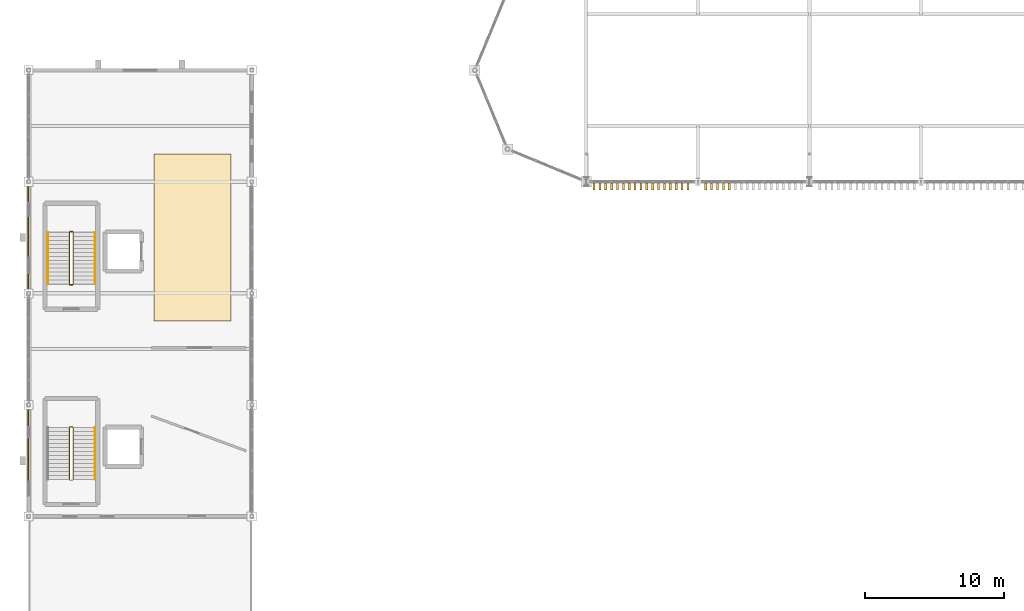
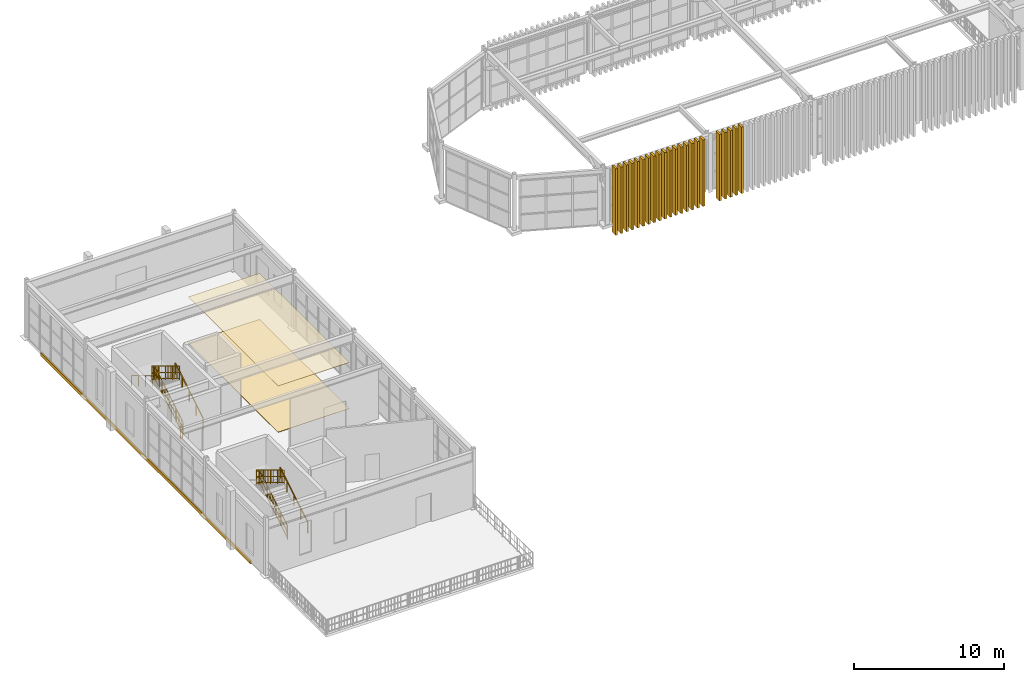
# One storey, part 55 of 61: 25 coverings, 10 railings.
"""IFC4 building model written with IfcOpenShell, lengths in metres."""

from ifc_helpers import new_model, si_unit, direction, frame, origin, origin_2d, place, context, subcontext, project, spatial, polyline, rectangle, outline, extrude, material, layer, layer_set, type_object, element, save


model = new_model("IFC4")

# Units and contexts
model_context = context("Model", 3, precision=1e-05, world=origin(), true_north=direction((0.0, 1.0)))
body_context = subcontext(model_context, "Body", "Model", "MODEL_VIEW")
ifc_project = project(units=[si_unit("LENGTHUNIT", "METRE"), si_unit("AREAUNIT", "SQUARE_METRE"), si_unit("VOLUMEUNIT", "CUBIC_METRE"), si_unit("PLANEANGLEUNIT", "RADIAN"), si_unit("MASSUNIT", "GRAM", prefix="KILO")], contexts=[model_context])

# Site, building, storey
site_placement = place(None, origin())
site = spatial("IfcSite", under=ifc_project, at=site_placement, CompositionType="ELEMENT")
building_placement = place(site_placement, origin())
building = spatial("IfcBuilding", under=site, at=building_placement, Name="Serraluz Foothill Cableway Terminal", CompositionType="ELEMENT")
storey_placement = place(building_placement, frame((0.0, 0.0, 15.0)))
storey = spatial("IfcBuildingStorey", under=building, at=storey_placement, Name="L03", CompositionType="ELEMENT", Elevation=15.0)

# Coverings
ifc_material_1 = material(Name="Perforated acoustic mineral and timber ceiling", Category="wood")
ifc_layer_1 = layer(ifc_material_1, 0.034912109375, Name="Perforated acoustic mineral and timber ceiling", Category="wood")
ifc_layer_set_1 = layer_set([ifc_layer_1], Name="Perforated acoustic mineral and timber ceiling")
covering_type_1 = type_object("IfcCoveringType", Name="TYP-COV-CEIL-35", PredefinedType="CEILING", material=ifc_layer_set_1)
covering_1_placement = place(storey_placement, frame((0.0, 0.0, 3.756103515625)))
element("IfcCovering", 1, at=covering_1_placement, inside=storey, type_object=covering_type_1, Name="Suspended Acoustic Ceiling 11", PredefinedType="CEILING", context=body_context, shape_type="SweptSolid", body=[
    extrude(outline(polyline([(14.5, 58.0), (14.5, 46.0), (9.0, 46.0), (9.0, 58.0), (14.5, 58.0)])), origin(), (0.0, 0.0, 1.0), 0.034912109375),
])
ifc_material_2 = material(Name="Fired clay masonry brick (f'm 12 MPa)", Category="masonry")
ifc_layer_2 = layer(ifc_material_2, 0.090087890625, Name="Fired clay masonry brick (f'm 12 MPa)", Category="masonry")
ifc_layer_set_2 = layer_set([ifc_layer_2], Name="Fired clay masonry brick (f'm 12 MPa)")
covering_type_2 = type_object("IfcCoveringType", Name="TYP-COV-CLAD-90", PredefinedType="CLADDING", material=ifc_layer_set_2)
covering_2_placement = place(storey_placement, frame((-0.030029296875, 48.0, -0.27978515625), z_axis=(0.0, 0.0, 1.0), x_axis=(0.0, 1.0, 0.0)))
element("IfcCovering", 2, at=covering_2_placement, inside=storey, type_object=covering_type_2, Name="Terracotta Spandrel Relief Band COV-CLAD-V5W-3", PredefinedType="CLADDING", context=body_context, shape_type="SweptSolid", body=[
    extrude(rectangle(XDim=28.0, YDim=0.090087890625, at=origin_2d()), origin(), (0.0, 0.0, 1.0), 0.280029296875),
])
ifc_material_3 = material(Name="Honed basalt and terrazzo floor finish", Category="masonry")
ifc_layer_3 = layer(ifc_material_3, 0.02490234375, Name="Honed basalt and terrazzo floor finish", Category="masonry")
ifc_layer_set_3 = layer_set([ifc_layer_3], Name="Honed basalt and terrazzo floor finish")
covering_type_3 = type_object("IfcCoveringType", Name="TYP-COV-FLR-25", PredefinedType="FLOORING", material=ifc_layer_set_3)
covering_3_placement = place(storey_placement, origin())
element("IfcCovering", 3, at=covering_3_placement, inside=storey, type_object=covering_type_3, Name="Terrazzo Concourse Flooring 11", PredefinedType="FLOORING", context=body_context, shape_type="SweptSolid", body=[
    extrude(outline(polyline([(9.0, 46.0), (14.5, 46.0), (14.5, 58.0), (9.0, 58.0), (9.0, 46.0)])), origin(), (0.0, 0.0, 1.0), 0.02490234375),
])
ifc_material_4 = material(Name="Architectural bronze alloy C28000", Category="aluminium")
ifc_layer_4 = layer(ifc_material_4, 0.159912109375, Name="Architectural bronze alloy C28000", Category="aluminium")
ifc_layer_set_4 = layer_set([ifc_layer_4], Name="Architectural bronze alloy C28000")
covering_type_4 = type_object("IfcCoveringType", Name="TYP-COV-SLAT-480", PredefinedType="CLADDING", material=ifc_layer_set_4)
for number, where, z_axis, x_axis, name in (
    (4, (40.550048828125, 55.639892578125, -0.64990234375), (0.0, 0.0, 1.0), (1.0, 0.0, 0.0), "Graduated Upper Vertical Facade Slat S-0001"),
    (5, (40.969970703125, 55.639892578125, -0.64990234375), (0.0, 0.0, 1.0), (1.0, 0.0, 0.0), "Graduated Upper Vertical Facade Slat S-0002"),
    (6, (41.389892578125, 55.639892578125, -0.64990234375), (0.0, 0.0, 1.0), (1.0, 0.0, 0.0), "Graduated Upper Vertical Facade Slat S-0003"),
    (7, (41.81005859375, 55.639892578125, -0.64990234375), (0.0, 0.0, 1.0), (1.0, 0.0, 0.0), "Graduated Upper Vertical Facade Slat S-0004"),
    (8, (42.22998046875, 55.639892578125, -0.64990234375), (0.0, 0.0, 1.0), (1.0, 0.0, 0.0), "Graduated Upper Vertical Facade Slat S-0005"),
    (9, (42.650146484375, 55.639892578125, -0.64990234375), (0.0, 0.0, 1.0), (1.0, 0.0, 0.0), "Graduated Upper Vertical Facade Slat S-0006"),
    (10, (43.0703125, 55.639892578125, -0.64990234375), (0.0, 0.0, 1.0), (1.0, 0.0, 0.0), "Graduated Upper Vertical Facade Slat S-0007"),
    (11, (43.490478515625, 55.639892578125, -0.64990234375), (0.0, 0.0, 1.0), (1.0, 0.0, 0.0), "Graduated Upper Vertical Facade Slat S-0008"),
    (12, (43.910888671875, 55.639892578125, -0.64990234375), (0.0, 0.0, 1.0), (1.0, 0.0, 0.0), "Graduated Upper Vertical Facade Slat S-0009"),
    (13, (44.33154296875, 55.639892578125, -0.64990234375), (0.0, 0.0, 1.0), (1.0, 0.0, 0.0), "Graduated Upper Vertical Facade Slat S-0010"),
    (14, (44.752197265625, 55.639892578125, -0.64990234375), (0.0, 0.0, 1.0), (1.0, 0.0, 0.0), "Graduated Upper Vertical Facade Slat S-0011"),
    (15, (45.173095703125, 55.639892578125, -0.64990234375), (0.0, 0.0, 1.0), (1.0, 0.0, 0.0), "Graduated Upper Vertical Facade Slat S-0012"),
    (16, (45.59423828125, 55.639892578125, -0.64990234375), (0.0, 0.0, 1.0), (1.0, 0.0, 0.0), "Graduated Upper Vertical Facade Slat S-0013"),
    (17, (46.015625, 55.639892578125, -0.64990234375), (0.0, 0.0, 1.0), (1.0, 0.0, 0.0), "Graduated Upper Vertical Facade Slat S-0014"),
    (18, (46.437255859375, 55.639892578125, -0.64990234375), (0.0, 0.0, 1.0), (1.0, 0.0, 0.0), "Graduated Upper Vertical Facade Slat S-0015"),
    (19, (46.859130859375, 55.639892578125, -0.64990234375), (0.0, 0.0, 1.0), (1.0, 0.0, 0.0), "Graduated Upper Vertical Facade Slat S-0016"),
    (20, (47.281494140625, 55.639892578125, -0.64990234375), (0.0, 0.0, 1.0), (1.0, 0.0, 0.0), "Graduated Upper Vertical Facade Slat S-0017"),
    (21, (48.55078125, 55.639892578125, -0.64990234375), (0.0, 0.0, 1.0), (1.0, 0.0, 0.0), "Graduated Upper Vertical Facade Slat S-0018"),
    (22, (48.974609375, 55.639892578125, -0.64990234375), (0.0, 0.0, 1.0), (1.0, 0.0, 0.0), "Graduated Upper Vertical Facade Slat S-0019"),
    (23, (49.399169921875, 55.639892578125, -0.64990234375), (0.0, 0.0, 1.0), (1.0, 0.0, 0.0), "Graduated Upper Vertical Facade Slat S-0020"),
    (24, (49.82421875, 55.639892578125, -0.64990234375), (0.0, 0.0, 1.0), (1.0, 0.0, 0.0), "Graduated Upper Vertical Facade Slat S-0021"),
    (25, (50.25, 55.639892578125, -0.64990234375), (0.0, 0.0, 1.0), (1.0, 0.0, 0.0), "Graduated Upper Vertical Facade Slat S-0022"),
):
    element("IfcCovering", number, at=place(storey_placement, frame(where, z_axis=z_axis, x_axis=x_axis)), inside=storey, type_object=covering_type_4, Name=name, PredefinedType="CLADDING", context=body_context, shape_type="SweptSolid", body=[
        extrude(rectangle(XDim=0.159912109375, YDim=0.47998046875, at=origin_2d()), origin(), (0.0, 0.0, 1.0), 5.419921875),
    ])

# Railings
ifc_material_5 = material(Name="Steel ASTM A572 Grade 50", Category="steel")
ifc_layer_5 = layer(ifc_material_5, 0.054931640625, Name="Steel ASTM A572 Grade 50", Category="steel")
ifc_layer_set_5 = layer_set([ifc_layer_5], Name="Steel ASTM A572 Grade 50")
railing_type_1 = type_object("IfcRailingType", Name="TYP-RL-GRD-1150", PredefinedType="GUARDRAIL", material=ifc_layer_set_5)
railing_1_placement = place(storey_placement, frame((3.18994140625, 48.659912109375, 0.17138671875)))
element("IfcRailing", 26, at=railing_1_placement, inside=storey, type_object=railing_type_1, Name="L03 ST-01 stair guard 1", PredefinedType="GUARDRAIL", context=body_context, shape_type="SweptSolid", body=[
    extrude(rectangle(XDim=0.048095703125, YDim=0.048095703125, at=origin_2d()), frame((0.0, 0.0, 1.1259765625), z_axis=(0.0, 0.856934400257, 0.515425487977), x_axis=(-1.0, 0.0, 0.0)), (0.0, 0.0, 1.0), 4.32373046875),
    extrude(rectangle(XDim=0.048095703125, YDim=0.048095703125, at=origin_2d()), frame((0.0, 0.0, 0.597900390625), z_axis=(0.0, 0.856934400257, 0.515425487977), x_axis=(-1.0, 0.0, 0.0)), (0.0, 0.0, 1.0), 4.32373046875),
    extrude(rectangle(XDim=0.048095703125, YDim=0.048095703125, at=origin_2d()), frame((0.0, 0.0, 0.1201171875), z_axis=(0.0, 0.856934400257, 0.515425487977), x_axis=(-1.0, 0.0, 0.0)), (0.0, 0.0, 1.0), 4.32373046875),
    extrude(rectangle(XDim=0.02001953125, YDim=0.02001953125, at=origin_2d()), frame((0.0, 0.205810546875, 0.243896484375)), (0.0, 0.0, 1.0), 0.981689453125),
    extrude(rectangle(XDim=0.02001953125, YDim=0.02001953125, at=origin_2d()), frame((0.0, 0.41162109375, 0.36767578125)), (0.0, 0.0, 1.0), 0.981689453125),
    extrude(rectangle(XDim=0.02001953125, YDim=0.02001953125, at=origin_2d()), frame((0.0, 0.617431640625, 0.491455078125)), (0.0, 0.0, 1.0), 0.981689453125),
    extrude(rectangle(XDim=0.02001953125, YDim=0.02001953125, at=origin_2d()), frame((0.0, 0.8232421875, 0.615234375)), (0.0, 0.0, 1.0), 0.981689453125),
    extrude(rectangle(XDim=0.02001953125, YDim=0.02001953125, at=origin_2d()), frame((0.0, 1.029296875, 0.739013671875)), (0.0, 0.0, 1.0), 0.981689453125),
    extrude(rectangle(XDim=0.02001953125, YDim=0.02001953125, at=origin_2d()), frame((0.0, 1.235107421875, 0.86279296875)), (0.0, 0.0, 1.0), 0.981689453125),
    extrude(rectangle(XDim=0.02001953125, YDim=0.02001953125, at=origin_2d()), frame((0.0, 1.44091796875, 0.986572265625)), (0.0, 0.0, 1.0), 0.981689453125),
    extrude(rectangle(XDim=0.02001953125, YDim=0.02001953125, at=origin_2d()), frame((0.0, 1.646728515625, 1.1103515625)), (0.0, 0.0, 1.0), 0.981689453125),
    extrude(rectangle(XDim=0.02001953125, YDim=0.02001953125, at=origin_2d()), frame((0.0, 2.058349609375, 1.358154296875)), (0.0, 0.0, 1.0), 0.981689453125),
    extrude(rectangle(XDim=0.02001953125, YDim=0.02001953125, at=origin_2d()), frame((0.0, 2.26416015625, 1.48193359375)), (0.0, 0.0, 1.0), 0.981689453125),
    extrude(rectangle(XDim=0.02001953125, YDim=0.02001953125, at=origin_2d()), frame((0.0, 2.469970703125, 1.605712890625)), (0.0, 0.0, 1.0), 0.981689453125),
    extrude(rectangle(XDim=0.02001953125, YDim=0.02001953125, at=origin_2d()), frame((0.0, 2.67578125, 1.7294921875)), (0.0, 0.0, 1.0), 0.981689453125),
    extrude(rectangle(XDim=0.02001953125, YDim=0.02001953125, at=origin_2d()), frame((0.0, 2.8818359375, 1.853271484375)), (0.0, 0.0, 1.0), 0.981689453125),
    extrude(rectangle(XDim=0.02001953125, YDim=0.02001953125, at=origin_2d()), frame((0.0, 3.087646484375, 1.97705078125)), (0.0, 0.0, 1.0), 0.981689453125),
    extrude(rectangle(XDim=0.02001953125, YDim=0.02001953125, at=origin_2d()), frame((0.0, 3.29345703125, 2.100830078125)), (0.0, 0.0, 1.0), 0.981689453125),
    extrude(rectangle(XDim=0.02001953125, YDim=0.02001953125, at=origin_2d()), frame((0.0, 3.499267578125, 2.224609375)), (0.0, 0.0, 1.0), 0.981689453125),
    extrude(rectangle(XDim=0.0439453125, YDim=0.0439453125, at=origin_2d()), origin(), (0.0, 0.0, 1.0), 1.101806640625),
    extrude(rectangle(XDim=0.0439453125, YDim=0.0439453125, at=origin_2d()), frame((0.0, 0.92626953125, 0.55712890625)), (0.0, 0.0, 1.0), 1.101806640625),
    extrude(rectangle(XDim=0.0439453125, YDim=0.0439453125, at=origin_2d()), frame((0.0, 1.8525390625, 1.1142578125)), (0.0, 0.0, 1.0), 1.101806640625),
    extrude(rectangle(XDim=0.0439453125, YDim=0.0439453125, at=origin_2d()), frame((0.0, 2.77880859375, 1.67138671875)), (0.0, 0.0, 1.0), 1.101806640625),
    extrude(rectangle(XDim=0.0439453125, YDim=0.0439453125, at=origin_2d()), frame((0.0, 3.705078125, 2.228515625)), (0.0, 0.0, 1.0), 1.101806640625),
])
railing_2_placement = place(storey_placement, frame((3.139892578125, 52.4150390625, 2.39990234375)))
element("IfcRailing", 27, at=railing_2_placement, inside=storey, type_object=railing_type_1, Name="L03 ST-01 stair guard 2", PredefinedType="GUARDRAIL", context=body_context, shape_type="SweptSolid", body=[
    extrude(rectangle(XDim=0.048095703125, YDim=0.048095703125, at=origin_2d()), frame((0.0, 0.0, 1.1259765625), z_axis=(-1.0, 0.0, 0.0), x_axis=(0.0, -1.0, 0.0)), (0.0, 0.0, 1.0), 0.159912109375),
    extrude(rectangle(XDim=0.048095703125, YDim=0.048095703125, at=origin_2d()), frame((0.0, 0.0, 0.597900390625), z_axis=(-1.0, 0.0, 0.0), x_axis=(0.0, -1.0, 0.0)), (0.0, 0.0, 1.0), 0.159912109375),
    extrude(rectangle(XDim=0.048095703125, YDim=0.048095703125, at=origin_2d()), frame((0.0, 0.0, 0.1201171875), z_axis=(-1.0, 0.0, 0.0), x_axis=(0.0, -1.0, 0.0)), (0.0, 0.0, 1.0), 0.159912109375),
    extrude(rectangle(XDim=0.0439453125, YDim=0.0439453125, at=origin_2d()), origin(), (0.0, 0.0, 1.0), 1.101806640625),
    extrude(rectangle(XDim=0.0439453125, YDim=0.0439453125, at=origin_2d()), frame((-0.159912109375, 0.0, 0.0)), (0.0, 0.0, 1.0), 1.101806640625),
])
railing_3_placement = place(storey_placement, frame((2.929931640625, 52.364990234375, 2.571533203125)))
element("IfcRailing", 28, at=railing_3_placement, inside=storey, type_object=railing_type_1, Name="L03 ST-01 stair guard 3", PredefinedType="GUARDRAIL", context=body_context, shape_type="SweptSolid", body=[
    extrude(rectangle(XDim=0.048095703125, YDim=0.048095703125, at=origin_2d()), frame((0.0, 0.0, 1.1259765625), z_axis=(0.0, -0.856934400257, 0.515425487977), x_axis=(1.0, 0.0, 0.0)), (0.0, 0.0, 1.0), 4.32373046875),
    extrude(rectangle(XDim=0.048095703125, YDim=0.048095703125, at=origin_2d()), frame((0.0, 0.0, 0.597900390625), z_axis=(0.0, -0.856934400257, 0.515425487977), x_axis=(1.0, 0.0, 0.0)), (0.0, 0.0, 1.0), 4.32373046875),
    extrude(rectangle(XDim=0.048095703125, YDim=0.048095703125, at=origin_2d()), frame((0.0, 0.0, 0.1201171875), z_axis=(0.0, -0.856934400257, 0.515425487977), x_axis=(1.0, 0.0, 0.0)), (0.0, 0.0, 1.0), 4.32373046875),
    extrude(rectangle(XDim=0.02001953125, YDim=0.02001953125, at=origin_2d()), frame((0.0, -0.205810546875, 0.243896484375)), (0.0, 0.0, 1.0), 0.981689453125),
    extrude(rectangle(XDim=0.02001953125, YDim=0.02001953125, at=origin_2d()), frame((0.0, -0.41162109375, 0.36767578125)), (0.0, 0.0, 1.0), 0.981689453125),
    extrude(rectangle(XDim=0.02001953125, YDim=0.02001953125, at=origin_2d()), frame((0.0, -0.617431640625, 0.491455078125)), (0.0, 0.0, 1.0), 0.981689453125),
    extrude(rectangle(XDim=0.02001953125, YDim=0.02001953125, at=origin_2d()), frame((0.0, -0.8232421875, 0.615234375)), (0.0, 0.0, 1.0), 0.981689453125),
    extrude(rectangle(XDim=0.02001953125, YDim=0.02001953125, at=origin_2d()), frame((0.0, -1.029296875, 0.739013671875)), (0.0, 0.0, 1.0), 0.981689453125),
    extrude(rectangle(XDim=0.02001953125, YDim=0.02001953125, at=origin_2d()), frame((0.0, -1.235107421875, 0.86279296875)), (0.0, 0.0, 1.0), 0.981689453125),
    extrude(rectangle(XDim=0.02001953125, YDim=0.02001953125, at=origin_2d()), frame((0.0, -1.44091796875, 0.986572265625)), (0.0, 0.0, 1.0), 0.981689453125),
    extrude(rectangle(XDim=0.02001953125, YDim=0.02001953125, at=origin_2d()), frame((0.0, -1.646728515625, 1.1103515625)), (0.0, 0.0, 1.0), 0.981689453125),
    extrude(rectangle(XDim=0.02001953125, YDim=0.02001953125, at=origin_2d()), frame((0.0, -2.058349609375, 1.358154296875)), (0.0, 0.0, 1.0), 0.981689453125),
    extrude(rectangle(XDim=0.02001953125, YDim=0.02001953125, at=origin_2d()), frame((0.0, -2.26416015625, 1.48193359375)), (0.0, 0.0, 1.0), 0.981689453125),
    extrude(rectangle(XDim=0.02001953125, YDim=0.02001953125, at=origin_2d()), frame((0.0, -2.469970703125, 1.605712890625)), (0.0, 0.0, 1.0), 0.981689453125),
    extrude(rectangle(XDim=0.02001953125, YDim=0.02001953125, at=origin_2d()), frame((0.0, -2.67578125, 1.7294921875)), (0.0, 0.0, 1.0), 0.981689453125),
    extrude(rectangle(XDim=0.02001953125, YDim=0.02001953125, at=origin_2d()), frame((0.0, -2.8818359375, 1.853271484375)), (0.0, 0.0, 1.0), 0.981689453125),
    extrude(rectangle(XDim=0.02001953125, YDim=0.02001953125, at=origin_2d()), frame((0.0, -3.087646484375, 1.97705078125)), (0.0, 0.0, 1.0), 0.981689453125),
    extrude(rectangle(XDim=0.02001953125, YDim=0.02001953125, at=origin_2d()), frame((0.0, -3.29345703125, 2.100830078125)), (0.0, 0.0, 1.0), 0.981689453125),
    extrude(rectangle(XDim=0.02001953125, YDim=0.02001953125, at=origin_2d()), frame((0.0, -3.499267578125, 2.224609375)), (0.0, 0.0, 1.0), 0.981689453125),
    extrude(rectangle(XDim=0.0439453125, YDim=0.0439453125, at=origin_2d()), origin(), (0.0, 0.0, 1.0), 1.101806640625),
    extrude(rectangle(XDim=0.0439453125, YDim=0.0439453125, at=origin_2d()), frame((0.0, -0.92626953125, 0.55712890625)), (0.0, 0.0, 1.0), 1.101806640625),
    extrude(rectangle(XDim=0.0439453125, YDim=0.0439453125, at=origin_2d()), frame((0.0, -1.8525390625, 1.1142578125)), (0.0, 0.0, 1.0), 1.101806640625),
    extrude(rectangle(XDim=0.0439453125, YDim=0.0439453125, at=origin_2d()), frame((0.0, -2.77880859375, 1.67138671875)), (0.0, 0.0, 1.0), 1.101806640625),
    extrude(rectangle(XDim=0.0439453125, YDim=0.0439453125, at=origin_2d()), frame((0.0, -3.705078125, 2.228515625)), (0.0, 0.0, 1.0), 1.101806640625),
])
railing_4_placement = place(storey_placement, frame((3.139892578125, 48.610107421875, 0.0)))
element("IfcRailing", 29, at=railing_4_placement, inside=storey, type_object=railing_type_1, Name="L03 ST-01 stair guard 4", PredefinedType="GUARDRAIL", context=body_context, shape_type="SweptSolid", body=[
    extrude(rectangle(XDim=0.048095703125, YDim=0.048095703125, at=origin_2d()), frame((0.0, 0.0, 1.1259765625), z_axis=(-1.0, 0.0, 0.0), x_axis=(0.0, -1.0, 0.0)), (0.0, 0.0, 1.0), 0.159912109375),
    extrude(rectangle(XDim=0.048095703125, YDim=0.048095703125, at=origin_2d()), frame((0.0, 0.0, 0.597900390625), z_axis=(-1.0, 0.0, 0.0), x_axis=(0.0, -1.0, 0.0)), (0.0, 0.0, 1.0), 0.159912109375),
    extrude(rectangle(XDim=0.048095703125, YDim=0.048095703125, at=origin_2d()), frame((0.0, 0.0, 0.1201171875), z_axis=(-1.0, 0.0, 0.0), x_axis=(0.0, -1.0, 0.0)), (0.0, 0.0, 1.0), 0.159912109375),
    extrude(rectangle(XDim=0.0439453125, YDim=0.0439453125, at=origin_2d()), origin(), (0.0, 0.0, 1.0), 1.101806640625),
    extrude(rectangle(XDim=0.0439453125, YDim=0.0439453125, at=origin_2d()), frame((-0.159912109375, 0.0, 0.0)), (0.0, 0.0, 1.0), 1.101806640625),
])
railing_5_placement = place(storey_placement, frame((3.18994140625, 34.659912109375, 0.17138671875)))
element("IfcRailing", 30, at=railing_5_placement, inside=storey, type_object=railing_type_1, Name="L03 ST-02 stair guard 1", PredefinedType="GUARDRAIL", context=body_context, shape_type="SweptSolid", body=[
    extrude(rectangle(XDim=0.048095703125, YDim=0.048095703125, at=origin_2d()), frame((0.0, 0.0, 1.1259765625), z_axis=(0.0, 0.856934400257, 0.515425487977), x_axis=(-1.0, 0.0, 0.0)), (0.0, 0.0, 1.0), 4.32373046875),
    extrude(rectangle(XDim=0.048095703125, YDim=0.048095703125, at=origin_2d()), frame((0.0, 0.0, 0.597900390625), z_axis=(0.0, 0.856934400257, 0.515425487977), x_axis=(-1.0, 0.0, 0.0)), (0.0, 0.0, 1.0), 4.32373046875),
    extrude(rectangle(XDim=0.048095703125, YDim=0.048095703125, at=origin_2d()), frame((0.0, 0.0, 0.1201171875), z_axis=(0.0, 0.856934400257, 0.515425487977), x_axis=(-1.0, 0.0, 0.0)), (0.0, 0.0, 1.0), 4.32373046875),
    extrude(rectangle(XDim=0.02001953125, YDim=0.02001953125, at=origin_2d()), frame((0.0, 0.205810546875, 0.243896484375)), (0.0, 0.0, 1.0), 0.981689453125),
    extrude(rectangle(XDim=0.02001953125, YDim=0.02001953125, at=origin_2d()), frame((0.0, 0.41162109375, 0.36767578125)), (0.0, 0.0, 1.0), 0.981689453125),
    extrude(rectangle(XDim=0.02001953125, YDim=0.02001953125, at=origin_2d()), frame((0.0, 0.617431640625, 0.491455078125)), (0.0, 0.0, 1.0), 0.981689453125),
    extrude(rectangle(XDim=0.02001953125, YDim=0.02001953125, at=origin_2d()), frame((0.0, 0.8232421875, 0.615234375)), (0.0, 0.0, 1.0), 0.981689453125),
    extrude(rectangle(XDim=0.02001953125, YDim=0.02001953125, at=origin_2d()), frame((0.0, 1.029296875, 0.739013671875)), (0.0, 0.0, 1.0), 0.981689453125),
    extrude(rectangle(XDim=0.02001953125, YDim=0.02001953125, at=origin_2d()), frame((0.0, 1.235107421875, 0.86279296875)), (0.0, 0.0, 1.0), 0.981689453125),
    extrude(rectangle(XDim=0.02001953125, YDim=0.02001953125, at=origin_2d()), frame((0.0, 1.44091796875, 0.986572265625)), (0.0, 0.0, 1.0), 0.981689453125),
    extrude(rectangle(XDim=0.02001953125, YDim=0.02001953125, at=origin_2d()), frame((0.0, 1.646728515625, 1.1103515625)), (0.0, 0.0, 1.0), 0.981689453125),
    extrude(rectangle(XDim=0.02001953125, YDim=0.02001953125, at=origin_2d()), frame((0.0, 2.058349609375, 1.358154296875)), (0.0, 0.0, 1.0), 0.981689453125),
    extrude(rectangle(XDim=0.02001953125, YDim=0.02001953125, at=origin_2d()), frame((0.0, 2.26416015625, 1.48193359375)), (0.0, 0.0, 1.0), 0.981689453125),
    extrude(rectangle(XDim=0.02001953125, YDim=0.02001953125, at=origin_2d()), frame((0.0, 2.469970703125, 1.605712890625)), (0.0, 0.0, 1.0), 0.981689453125),
    extrude(rectangle(XDim=0.02001953125, YDim=0.02001953125, at=origin_2d()), frame((0.0, 2.67578125, 1.7294921875)), (0.0, 0.0, 1.0), 0.981689453125),
    extrude(rectangle(XDim=0.02001953125, YDim=0.02001953125, at=origin_2d()), frame((0.0, 2.8818359375, 1.853271484375)), (0.0, 0.0, 1.0), 0.981689453125),
    extrude(rectangle(XDim=0.02001953125, YDim=0.02001953125, at=origin_2d()), frame((0.0, 3.087646484375, 1.97705078125)), (0.0, 0.0, 1.0), 0.981689453125),
    extrude(rectangle(XDim=0.02001953125, YDim=0.02001953125, at=origin_2d()), frame((0.0, 3.29345703125, 2.100830078125)), (0.0, 0.0, 1.0), 0.981689453125),
    extrude(rectangle(XDim=0.02001953125, YDim=0.02001953125, at=origin_2d()), frame((0.0, 3.499267578125, 2.224609375)), (0.0, 0.0, 1.0), 0.981689453125),
    extrude(rectangle(XDim=0.0439453125, YDim=0.0439453125, at=origin_2d()), origin(), (0.0, 0.0, 1.0), 1.101806640625),
    extrude(rectangle(XDim=0.0439453125, YDim=0.0439453125, at=origin_2d()), frame((0.0, 0.92626953125, 0.55712890625)), (0.0, 0.0, 1.0), 1.101806640625),
    extrude(rectangle(XDim=0.0439453125, YDim=0.0439453125, at=origin_2d()), frame((0.0, 1.8525390625, 1.1142578125)), (0.0, 0.0, 1.0), 1.101806640625),
    extrude(rectangle(XDim=0.0439453125, YDim=0.0439453125, at=origin_2d()), frame((0.0, 2.77880859375, 1.67138671875)), (0.0, 0.0, 1.0), 1.101806640625),
    extrude(rectangle(XDim=0.0439453125, YDim=0.0439453125, at=origin_2d()), frame((0.0, 3.705078125, 2.228515625)), (0.0, 0.0, 1.0), 1.101806640625),
])
railing_6_placement = place(storey_placement, frame((3.139892578125, 38.4150390625, 2.39990234375)))
element("IfcRailing", 31, at=railing_6_placement, inside=storey, type_object=railing_type_1, Name="L03 ST-02 stair guard 2", PredefinedType="GUARDRAIL", context=body_context, shape_type="SweptSolid", body=[
    extrude(rectangle(XDim=0.048095703125, YDim=0.048095703125, at=origin_2d()), frame((0.0, 0.0, 1.1259765625), z_axis=(-1.0, 0.0, 0.0), x_axis=(0.0, -1.0, 0.0)), (0.0, 0.0, 1.0), 0.159912109375),
    extrude(rectangle(XDim=0.048095703125, YDim=0.048095703125, at=origin_2d()), frame((0.0, 0.0, 0.597900390625), z_axis=(-1.0, 0.0, 0.0), x_axis=(0.0, -1.0, 0.0)), (0.0, 0.0, 1.0), 0.159912109375),
    extrude(rectangle(XDim=0.048095703125, YDim=0.048095703125, at=origin_2d()), frame((0.0, 0.0, 0.1201171875), z_axis=(-1.0, 0.0, 0.0), x_axis=(0.0, -1.0, 0.0)), (0.0, 0.0, 1.0), 0.159912109375),
    extrude(rectangle(XDim=0.0439453125, YDim=0.0439453125, at=origin_2d()), origin(), (0.0, 0.0, 1.0), 1.101806640625),
    extrude(rectangle(XDim=0.0439453125, YDim=0.0439453125, at=origin_2d()), frame((-0.159912109375, 0.0, 0.0)), (0.0, 0.0, 1.0), 1.101806640625),
])
railing_7_placement = place(storey_placement, frame((2.929931640625, 38.364990234375, 2.571533203125)))
element("IfcRailing", 32, at=railing_7_placement, inside=storey, type_object=railing_type_1, Name="L03 ST-02 stair guard 3", PredefinedType="GUARDRAIL", context=body_context, shape_type="SweptSolid", body=[
    extrude(rectangle(XDim=0.048095703125, YDim=0.048095703125, at=origin_2d()), frame((0.0, 0.0, 1.1259765625), z_axis=(0.0, -0.856934400257, 0.515425487977), x_axis=(1.0, 0.0, 0.0)), (0.0, 0.0, 1.0), 4.32373046875),
    extrude(rectangle(XDim=0.048095703125, YDim=0.048095703125, at=origin_2d()), frame((0.0, 0.0, 0.597900390625), z_axis=(0.0, -0.856934400257, 0.515425487977), x_axis=(1.0, 0.0, 0.0)), (0.0, 0.0, 1.0), 4.32373046875),
    extrude(rectangle(XDim=0.048095703125, YDim=0.048095703125, at=origin_2d()), frame((0.0, 0.0, 0.1201171875), z_axis=(0.0, -0.856934400257, 0.515425487977), x_axis=(1.0, 0.0, 0.0)), (0.0, 0.0, 1.0), 4.32373046875),
    extrude(rectangle(XDim=0.02001953125, YDim=0.02001953125, at=origin_2d()), frame((0.0, -0.205810546875, 0.243896484375)), (0.0, 0.0, 1.0), 0.981689453125),
    extrude(rectangle(XDim=0.02001953125, YDim=0.02001953125, at=origin_2d()), frame((0.0, -0.41162109375, 0.36767578125)), (0.0, 0.0, 1.0), 0.981689453125),
    extrude(rectangle(XDim=0.02001953125, YDim=0.02001953125, at=origin_2d()), frame((0.0, -0.617431640625, 0.491455078125)), (0.0, 0.0, 1.0), 0.981689453125),
    extrude(rectangle(XDim=0.02001953125, YDim=0.02001953125, at=origin_2d()), frame((0.0, -0.8232421875, 0.615234375)), (0.0, 0.0, 1.0), 0.981689453125),
    extrude(rectangle(XDim=0.02001953125, YDim=0.02001953125, at=origin_2d()), frame((0.0, -1.029296875, 0.739013671875)), (0.0, 0.0, 1.0), 0.981689453125),
    extrude(rectangle(XDim=0.02001953125, YDim=0.02001953125, at=origin_2d()), frame((0.0, -1.235107421875, 0.86279296875)), (0.0, 0.0, 1.0), 0.981689453125),
    extrude(rectangle(XDim=0.02001953125, YDim=0.02001953125, at=origin_2d()), frame((0.0, -1.44091796875, 0.986572265625)), (0.0, 0.0, 1.0), 0.981689453125),
    extrude(rectangle(XDim=0.02001953125, YDim=0.02001953125, at=origin_2d()), frame((0.0, -1.646728515625, 1.1103515625)), (0.0, 0.0, 1.0), 0.981689453125),
    extrude(rectangle(XDim=0.02001953125, YDim=0.02001953125, at=origin_2d()), frame((0.0, -2.058349609375, 1.358154296875)), (0.0, 0.0, 1.0), 0.981689453125),
    extrude(rectangle(XDim=0.02001953125, YDim=0.02001953125, at=origin_2d()), frame((0.0, -2.26416015625, 1.48193359375)), (0.0, 0.0, 1.0), 0.981689453125),
    extrude(rectangle(XDim=0.02001953125, YDim=0.02001953125, at=origin_2d()), frame((0.0, -2.469970703125, 1.605712890625)), (0.0, 0.0, 1.0), 0.981689453125),
    extrude(rectangle(XDim=0.02001953125, YDim=0.02001953125, at=origin_2d()), frame((0.0, -2.67578125, 1.7294921875)), (0.0, 0.0, 1.0), 0.981689453125),
    extrude(rectangle(XDim=0.02001953125, YDim=0.02001953125, at=origin_2d()), frame((0.0, -2.8818359375, 1.853271484375)), (0.0, 0.0, 1.0), 0.981689453125),
    extrude(rectangle(XDim=0.02001953125, YDim=0.02001953125, at=origin_2d()), frame((0.0, -3.087646484375, 1.97705078125)), (0.0, 0.0, 1.0), 0.981689453125),
    extrude(rectangle(XDim=0.02001953125, YDim=0.02001953125, at=origin_2d()), frame((0.0, -3.29345703125, 2.100830078125)), (0.0, 0.0, 1.0), 0.981689453125),
    extrude(rectangle(XDim=0.02001953125, YDim=0.02001953125, at=origin_2d()), frame((0.0, -3.499267578125, 2.224609375)), (0.0, 0.0, 1.0), 0.981689453125),
    extrude(rectangle(XDim=0.0439453125, YDim=0.0439453125, at=origin_2d()), origin(), (0.0, 0.0, 1.0), 1.101806640625),
    extrude(rectangle(XDim=0.0439453125, YDim=0.0439453125, at=origin_2d()), frame((0.0, -0.92626953125, 0.55712890625)), (0.0, 0.0, 1.0), 1.101806640625),
    extrude(rectangle(XDim=0.0439453125, YDim=0.0439453125, at=origin_2d()), frame((0.0, -1.8525390625, 1.1142578125)), (0.0, 0.0, 1.0), 1.101806640625),
    extrude(rectangle(XDim=0.0439453125, YDim=0.0439453125, at=origin_2d()), frame((0.0, -2.77880859375, 1.67138671875)), (0.0, 0.0, 1.0), 1.101806640625),
    extrude(rectangle(XDim=0.0439453125, YDim=0.0439453125, at=origin_2d()), frame((0.0, -3.705078125, 2.228515625)), (0.0, 0.0, 1.0), 1.101806640625),
])
ifc_layer_6 = layer(ifc_material_4, 0.048095703125, Name="Architectural bronze alloy C28000", Category="aluminium")
ifc_layer_set_6 = layer_set([ifc_layer_6], Name="Architectural bronze alloy C28000")
railing_type_2 = type_object("IfcRailingType", Name="TYP-RL-HND-920", PredefinedType="HANDRAIL", material=ifc_layer_set_6)
railing_8_placement = place(storey_placement, frame((4.75, 48.659912109375, 0.17138671875)))
element("IfcRailing", 33, at=railing_8_placement, inside=storey, type_object=railing_type_2, Name="L03 ST-01 stair handrail 1", PredefinedType="HANDRAIL", context=body_context, shape_type="SweptSolid", body=[
    extrude(rectangle(XDim=0.048095703125, YDim=0.048095703125, at=origin_2d()), frame((0.0, 0.0, 0.8759765625), z_axis=(0.0, 0.856934400257, 0.515425487977), x_axis=(-1.0, 0.0, 0.0)), (0.0, 0.0, 1.0), 4.32373046875),
    extrude(rectangle(XDim=0.0439453125, YDim=0.0439453125, at=origin_2d()), origin(), (0.0, 0.0, 1.0), 0.851806640625),
    extrude(rectangle(XDim=0.0439453125, YDim=0.0439453125, at=origin_2d()), frame((0.0, 0.92626953125, 0.55712890625)), (0.0, 0.0, 1.0), 0.851806640625),
    extrude(rectangle(XDim=0.0439453125, YDim=0.0439453125, at=origin_2d()), frame((0.0, 1.8525390625, 1.1142578125)), (0.0, 0.0, 1.0), 0.851806640625),
    extrude(rectangle(XDim=0.0439453125, YDim=0.0439453125, at=origin_2d()), frame((0.0, 2.77880859375, 1.67138671875)), (0.0, 0.0, 1.0), 0.851806640625),
    extrude(rectangle(XDim=0.0439453125, YDim=0.0439453125, at=origin_2d()), frame((0.0, 3.705078125, 2.228515625)), (0.0, 0.0, 1.0), 0.851806640625),
])
railing_9_placement = place(storey_placement, frame((1.3701171875, 52.364990234375, 2.571533203125)))
element("IfcRailing", 34, at=railing_9_placement, inside=storey, type_object=railing_type_2, Name="L03 ST-01 stair handrail 2", PredefinedType="HANDRAIL", context=body_context, shape_type="SweptSolid", body=[
    extrude(rectangle(XDim=0.048095703125, YDim=0.048095703125, at=origin_2d()), frame((0.0, 0.0, 0.8759765625), z_axis=(0.0, -0.856934400257, 0.515425487977), x_axis=(1.0, 0.0, 0.0)), (0.0, 0.0, 1.0), 4.32373046875),
    extrude(rectangle(XDim=0.0439453125, YDim=0.0439453125, at=origin_2d()), origin(), (0.0, 0.0, 1.0), 0.851806640625),
    extrude(rectangle(XDim=0.0439453125, YDim=0.0439453125, at=origin_2d()), frame((0.0, -0.92626953125, 0.55712890625)), (0.0, 0.0, 1.0), 0.851806640625),
    extrude(rectangle(XDim=0.0439453125, YDim=0.0439453125, at=origin_2d()), frame((0.0, -1.8525390625, 1.1142578125)), (0.0, 0.0, 1.0), 0.851806640625),
    extrude(rectangle(XDim=0.0439453125, YDim=0.0439453125, at=origin_2d()), frame((0.0, -2.77880859375, 1.67138671875)), (0.0, 0.0, 1.0), 0.851806640625),
    extrude(rectangle(XDim=0.0439453125, YDim=0.0439453125, at=origin_2d()), frame((0.0, -3.705078125, 2.228515625)), (0.0, 0.0, 1.0), 0.851806640625),
])
railing_10_placement = place(storey_placement, frame((4.75, 34.659912109375, 0.17138671875)))
element("IfcRailing", 35, at=railing_10_placement, inside=storey, type_object=railing_type_2, Name="L03 ST-02 stair handrail 1", PredefinedType="HANDRAIL", context=body_context, shape_type="SweptSolid", body=[
    extrude(rectangle(XDim=0.048095703125, YDim=0.048095703125, at=origin_2d()), frame((0.0, 0.0, 0.8759765625), z_axis=(0.0, 0.856934400257, 0.515425487977), x_axis=(-1.0, 0.0, 0.0)), (0.0, 0.0, 1.0), 4.32373046875),
    extrude(rectangle(XDim=0.0439453125, YDim=0.0439453125, at=origin_2d()), origin(), (0.0, 0.0, 1.0), 0.851806640625),
    extrude(rectangle(XDim=0.0439453125, YDim=0.0439453125, at=origin_2d()), frame((0.0, 0.92626953125, 0.55712890625)), (0.0, 0.0, 1.0), 0.851806640625),
    extrude(rectangle(XDim=0.0439453125, YDim=0.0439453125, at=origin_2d()), frame((0.0, 1.8525390625, 1.1142578125)), (0.0, 0.0, 1.0), 0.851806640625),
    extrude(rectangle(XDim=0.0439453125, YDim=0.0439453125, at=origin_2d()), frame((0.0, 2.77880859375, 1.67138671875)), (0.0, 0.0, 1.0), 0.851806640625),
    extrude(rectangle(XDim=0.0439453125, YDim=0.0439453125, at=origin_2d()), frame((0.0, 3.705078125, 2.228515625)), (0.0, 0.0, 1.0), 0.851806640625),
])

save(model, "model.ifc")
